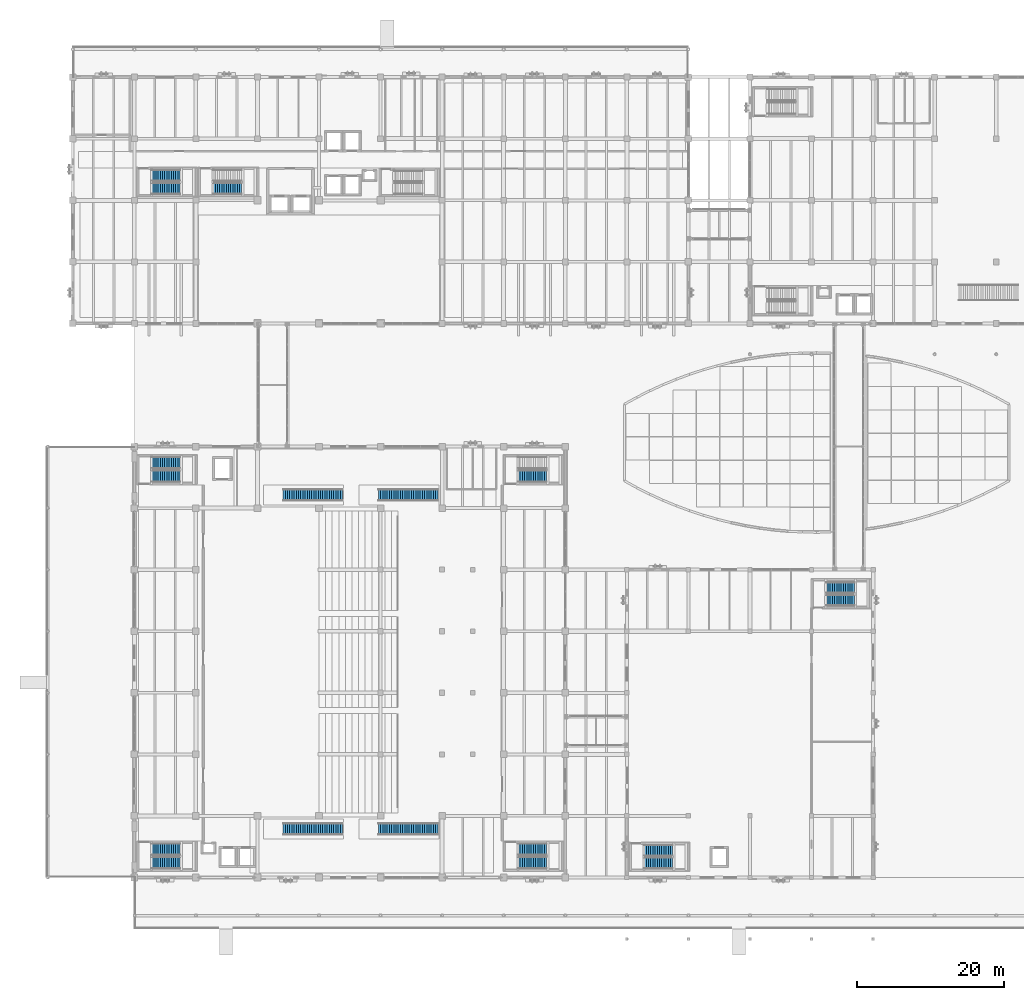
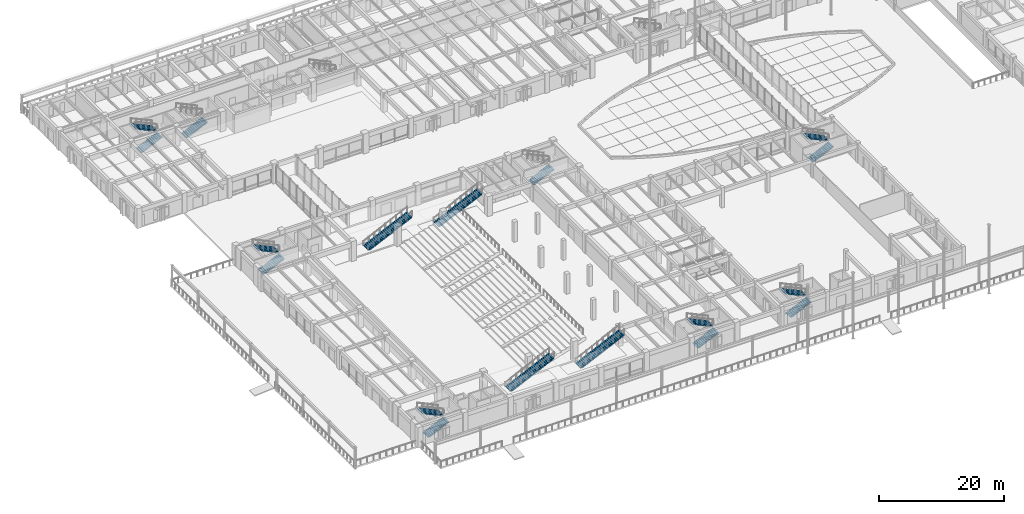
# One storey, part 100 of 135: 18 stair flights, 12 elements without a shape of their own.
"""IFC4 building model written with IfcOpenShell, lengths in metres."""

from ifc_helpers import new_model, si_unit, direction, frame, origin, place, context, subcontext, project, spatial, polyline, outline, extrude, material, type_object, element, aggregate, save


model = new_model("IFC4")

# Units and contexts
model_context = context("Model", 3, precision=1e-05, world=origin(), true_north=direction((0.0, 1.0)))
body_context = subcontext(model_context, "Body", "Model", "MODEL_VIEW")
ifc_project = project(units=[si_unit("LENGTHUNIT", "METRE"), si_unit("AREAUNIT", "SQUARE_METRE"), si_unit("VOLUMEUNIT", "CUBIC_METRE"), si_unit("PLANEANGLEUNIT", "RADIAN"), si_unit("MASSUNIT", "GRAM", prefix="KILO")], contexts=[model_context])

# Site, building, storey
site_placement = place(None, origin())
site = spatial("IfcSite", under=ifc_project, at=site_placement, CompositionType="ELEMENT")
building_placement = place(site_placement, origin())
building = spatial("IfcBuilding", under=site, at=building_placement, Name="Cumbredor Promenade Congress Hotel", CompositionType="ELEMENT")
storey_placement = place(building_placement, origin())
storey = spatial("IfcBuildingStorey", under=building, at=storey_placement, Name="L00", CompositionType="ELEMENT", Elevation=0.0)

# Stair, stair flights
ifc_material = material(Name="Concrete C40/50", Category="concrete")
stair_type_1 = type_object("IfcStairType", Name="Protected Dog-Leg Exit Stair ST-T1 1550mm", PredefinedType="HALF_TURN_STAIR", material=ifc_material)
stair_1_placement = place(storey_placement, origin())
stair_1 = element("IfcStair", 1, at=stair_1_placement, inside=storey, type_object=stair_type_1, Name="L00 Protected Exit Stair ST-11", PredefinedType="HALF_TURN_STAIR")
stair_flight_type_1 = type_object("IfcStairFlightType", Name="Concrete Stair Flight SFL-T1 1550mm", PredefinedType="STRAIGHT", material=ifc_material)
stair_flight_1_placement = place(storey_placement, frame((77.949951171875, 10.375, 0.0), z_axis=(0.0, 0.0, 1.0), x_axis=(1.0, 0.0, 0.0)))
stair_flight_1 = element("IfcStairFlight", 2, at=stair_flight_1_placement, type_object=stair_flight_type_1, Name="ST-11 flight 1", NumberOfRisers=14, NumberOfTreads=13, PredefinedType="STRAIGHT", RiserHeight=0.14, TreadLength=0.3, context=body_context, shape_type="SweptSolid", body=[
    extrude(outline(polyline([(0.0, 0.0), (0.0, 0.139892578125), (0.300048828125, 0.139892578125), (0.300048828125, 0.280029296875), (0.60009765625, 0.280029296875), (0.60009765625, 0.419921875), (0.89990234375, 0.419921875), (0.89990234375, 0.56005859375), (1.199951171875, 0.56005859375), (1.199951171875, 0.699951171875), (1.5, 0.699951171875), (1.5, 0.840087890625), (1.800048828125, 0.840087890625), (1.800048828125, 0.97998046875), (2.10009765625, 0.97998046875), (2.10009765625, 1.1201171875), (2.39990234375, 1.1201171875), (2.39990234375, 1.260009765625), (2.699951171875, 1.260009765625), (2.699951171875, 1.39990234375), (3.0, 1.39990234375), (3.0, 1.5400390625), (3.300048828125, 1.5400390625), (3.300048828125, 1.679931640625), (3.60009765625, 1.679931640625), (3.60009765625, 1.820068359375), (3.89990234375, 1.820068359375), (3.89990234375, 1.9599609375), (3.89990234375, 1.621337890625), (0.425537109375, 0.0), (0.0, 0.0)])), frame((0.0, 0.77490234375, 0.0), z_axis=(0.0, -1.0, 0.0), x_axis=(1.0, 0.0, 0.0)), (0.0, 0.0, 1.0), 1.550048828125),
])
stair_flight_2_placement = place(storey_placement, frame((81.85009765625, 12.074951171875, 1.9599609375), z_axis=(0.0, 0.0, 1.0), x_axis=(-1.0, 0.0, 0.0)))
stair_flight_2 = element("IfcStairFlight", 3, at=stair_flight_2_placement, type_object=stair_flight_type_1, Name="ST-11 flight 2", NumberOfRisers=14, NumberOfTreads=13, PredefinedType="STRAIGHT", RiserHeight=0.14, TreadLength=0.3, context=body_context, shape_type="SweptSolid", body=[
    extrude(outline(polyline([(0.0, 0.0), (0.0, 0.139892578125), (0.300048828125, 0.139892578125), (0.300048828125, 0.280029296875), (0.60009765625, 0.280029296875), (0.60009765625, 0.419921875), (0.89990234375, 0.419921875), (0.89990234375, 0.56005859375), (1.199951171875, 0.56005859375), (1.199951171875, 0.699951171875), (1.5, 0.699951171875), (1.5, 0.840087890625), (1.800048828125, 0.840087890625), (1.800048828125, 0.97998046875), (2.10009765625, 0.97998046875), (2.10009765625, 1.1201171875), (2.39990234375, 1.1201171875), (2.39990234375, 1.260009765625), (2.699951171875, 1.260009765625), (2.699951171875, 1.39990234375), (3.0, 1.39990234375), (3.0, 1.5400390625), (3.300048828125, 1.5400390625), (3.300048828125, 1.679931640625), (3.60009765625, 1.679931640625), (3.60009765625, 1.820068359375), (3.89990234375, 1.820068359375), (3.89990234375, 1.9599609375), (3.89990234375, 1.621337890625), (0.425537109375, 0.0), (0.0, 0.0)])), frame((0.0, 0.77490234375, 0.0), z_axis=(0.0, -1.0, 0.0), x_axis=(1.0, 0.0, 0.0)), (0.0, 0.0, 1.0), 1.550048828125),
])
aggregate(stair_1, [stair_flight_1, stair_flight_2])

stair_2_placement = place(storey_placement, origin())
stair_2 = element("IfcStair", 4, at=stair_2_placement, inside=storey, type_object=stair_type_1, Name="L00 Protected Exit Stair ST-12", PredefinedType="HALF_TURN_STAIR")
stair_flight_3_placement = place(storey_placement, frame((102.75, 46.22509765625, 0.0), z_axis=(0.0, 0.0, 1.0), x_axis=(1.0, 0.0, 0.0)))
stair_flight_3 = element("IfcStairFlight", 5, at=stair_flight_3_placement, type_object=stair_flight_type_1, Name="ST-12 flight 1", NumberOfRisers=14, NumberOfTreads=13, PredefinedType="STRAIGHT", RiserHeight=0.14, TreadLength=0.3, context=body_context, shape_type="SweptSolid", body=[
    extrude(outline(polyline([(0.0, 0.0), (0.0, 0.139892578125), (0.300048828125, 0.139892578125), (0.300048828125, 0.280029296875), (0.60009765625, 0.280029296875), (0.60009765625, 0.419921875), (0.89990234375, 0.419921875), (0.89990234375, 0.56005859375), (1.199951171875, 0.56005859375), (1.199951171875, 0.699951171875), (1.5, 0.699951171875), (1.5, 0.840087890625), (1.800048828125, 0.840087890625), (1.800048828125, 0.97998046875), (2.10009765625, 0.97998046875), (2.10009765625, 1.1201171875), (2.39990234375, 1.1201171875), (2.39990234375, 1.260009765625), (2.699951171875, 1.260009765625), (2.699951171875, 1.39990234375), (3.0, 1.39990234375), (3.0, 1.5400390625), (3.300048828125, 1.5400390625), (3.300048828125, 1.679931640625), (3.60009765625, 1.679931640625), (3.60009765625, 1.820068359375), (3.89990234375, 1.820068359375), (3.89990234375, 1.9599609375), (3.89990234375, 1.621337890625), (0.425537109375, 0.0), (0.0, 0.0)])), frame((0.0, 0.77490234375, 0.0), z_axis=(0.0, -1.0, 0.0), x_axis=(1.0, 0.0, 0.0)), (0.0, 0.0, 1.0), 1.550048828125),
])
stair_flight_4_placement = place(storey_placement, frame((106.64990234375, 47.925048828125, 1.9599609375), z_axis=(0.0, 0.0, 1.0), x_axis=(-1.0, 0.0, 0.0)))
stair_flight_4 = element("IfcStairFlight", 6, at=stair_flight_4_placement, type_object=stair_flight_type_1, Name="ST-12 flight 2", NumberOfRisers=14, NumberOfTreads=13, PredefinedType="STRAIGHT", RiserHeight=0.14, TreadLength=0.3, context=body_context, shape_type="SweptSolid", body=[
    extrude(outline(polyline([(0.0, 0.0), (0.0, 0.139892578125), (0.300048828125, 0.139892578125), (0.300048828125, 0.280029296875), (0.60009765625, 0.280029296875), (0.60009765625, 0.419921875), (0.89990234375, 0.419921875), (0.89990234375, 0.56005859375), (1.199951171875, 0.56005859375), (1.199951171875, 0.699951171875), (1.5, 0.699951171875), (1.5, 0.840087890625), (1.800048828125, 0.840087890625), (1.800048828125, 0.97998046875), (2.10009765625, 0.97998046875), (2.10009765625, 1.1201171875), (2.39990234375, 1.1201171875), (2.39990234375, 1.260009765625), (2.699951171875, 1.260009765625), (2.699951171875, 1.39990234375), (3.0, 1.39990234375), (3.0, 1.5400390625), (3.300048828125, 1.5400390625), (3.300048828125, 1.679931640625), (3.60009765625, 1.679931640625), (3.60009765625, 1.820068359375), (3.89990234375, 1.820068359375), (3.89990234375, 1.9599609375), (3.89990234375, 1.621337890625), (0.425537109375, 0.0), (0.0, 0.0)])), frame((0.0, 0.77490234375, 0.0), z_axis=(0.0, -1.0, 0.0), x_axis=(1.0, 0.0, 0.0)), (0.0, 0.0, 1.0), 1.550048828125),
])
aggregate(stair_2, [stair_flight_3, stair_flight_4])

stair_type_2 = type_object("IfcStairType", Name="Protected Dog-Leg Exit Stair ST-T2 1600mm", PredefinedType="HALF_TURN_STAIR", material=ifc_material)
stair_3_placement = place(storey_placement, origin())
stair_3 = element("IfcStair", 7, at=stair_3_placement, inside=storey, type_object=stair_type_2, Name="L00 Protected Exit Stair ST-01", PredefinedType="HALF_TURN_STAIR")
stair_flight_type_2 = type_object("IfcStairFlightType", Name="Concrete Stair Flight SFL-T2 1600mm", PredefinedType="STRAIGHT", material=ifc_material)
stair_flight_5_placement = place(storey_placement, frame((10.75, 102.419921875, 0.0), z_axis=(0.0, 0.0, 1.0), x_axis=(1.0, 0.0, 0.0)))
stair_flight_5 = element("IfcStairFlight", 8, at=stair_flight_5_placement, type_object=stair_flight_type_2, Name="ST-01 flight 1", NumberOfRisers=14, NumberOfTreads=13, PredefinedType="STRAIGHT", RiserHeight=0.14, TreadLength=0.3, context=body_context, shape_type="SweptSolid", body=[
    extrude(outline(polyline([(0.0, 0.0), (0.0, 0.139892578125), (0.300048828125, 0.139892578125), (0.300048828125, 0.280029296875), (0.60009765625, 0.280029296875), (0.60009765625, 0.419921875), (0.89990234375, 0.419921875), (0.89990234375, 0.56005859375), (1.199951171875, 0.56005859375), (1.199951171875, 0.699951171875), (1.5, 0.699951171875), (1.5, 0.840087890625), (1.800048828125, 0.840087890625), (1.800048828125, 0.97998046875), (2.10009765625, 0.97998046875), (2.10009765625, 1.1201171875), (2.39990234375, 1.1201171875), (2.39990234375, 1.260009765625), (2.699951171875, 1.260009765625), (2.699951171875, 1.39990234375), (3.0, 1.39990234375), (3.0, 1.5400390625), (3.300048828125, 1.5400390625), (3.300048828125, 1.679931640625), (3.60009765625, 1.679931640625), (3.60009765625, 1.820068359375), (3.89990234375, 1.820068359375), (3.89990234375, 1.9599609375), (3.89990234375, 1.621337890625), (0.425537109375, 0.0), (0.0, 0.0)])), frame((0.0, 0.800048828125, 0.0), z_axis=(0.0, -1.0, 0.0), x_axis=(1.0, 0.0, 0.0)), (0.0, 0.0, 1.0), 1.60009765625),
])
stair_flight_6_placement = place(storey_placement, frame((14.64990234375, 104.169921875, 1.9599609375), z_axis=(0.0, 0.0, 1.0), x_axis=(-1.0, 0.0, 0.0)))
stair_flight_6 = element("IfcStairFlight", 9, at=stair_flight_6_placement, type_object=stair_flight_type_2, Name="ST-01 flight 2", NumberOfRisers=14, NumberOfTreads=13, PredefinedType="STRAIGHT", RiserHeight=0.14, TreadLength=0.3, context=body_context, shape_type="SweptSolid", body=[
    extrude(outline(polyline([(0.0, 0.0), (0.0, 0.139892578125), (0.300048828125, 0.139892578125), (0.300048828125, 0.280029296875), (0.60009765625, 0.280029296875), (0.60009765625, 0.419921875), (0.89990234375, 0.419921875), (0.89990234375, 0.56005859375), (1.199951171875, 0.56005859375), (1.199951171875, 0.699951171875), (1.5, 0.699951171875), (1.5, 0.840087890625), (1.800048828125, 0.840087890625), (1.800048828125, 0.97998046875), (2.10009765625, 0.97998046875), (2.10009765625, 1.1201171875), (2.39990234375, 1.1201171875), (2.39990234375, 1.260009765625), (2.699951171875, 1.260009765625), (2.699951171875, 1.39990234375), (3.0, 1.39990234375), (3.0, 1.5400390625), (3.300048828125, 1.5400390625), (3.300048828125, 1.679931640625), (3.60009765625, 1.679931640625), (3.60009765625, 1.820068359375), (3.89990234375, 1.820068359375), (3.89990234375, 1.9599609375), (3.89990234375, 1.621337890625), (0.425537109375, 0.0), (0.0, 0.0)])), frame((0.0, 0.800048828125, 0.0), z_axis=(0.0, -1.0, 0.0), x_axis=(1.0, 0.0, 0.0)), (0.0, 0.0, 1.0), 1.60009765625),
])
aggregate(stair_3, [stair_flight_5, stair_flight_6])

# Stair, stair flight
stair_4_placement = place(storey_placement, origin())
stair_4 = element("IfcStair", 10, at=stair_4_placement, inside=storey, type_object=stair_type_2, Name="L00 Protected Exit Stair ST-02", PredefinedType="HALF_TURN_STAIR")
stair_flight_7_placement = place(storey_placement, frame((19.14990234375, 102.419921875, 0.0), z_axis=(0.0, 0.0, 1.0), x_axis=(1.0, 0.0, 0.0)))
stair_flight_7 = element("IfcStairFlight", 11, at=stair_flight_7_placement, type_object=stair_flight_type_2, Name="ST-02 flight 1", NumberOfRisers=14, NumberOfTreads=13, PredefinedType="STRAIGHT", RiserHeight=0.14, TreadLength=0.3, context=body_context, shape_type="SweptSolid", body=[
    extrude(outline(polyline([(0.0, 0.0), (0.0, 0.139892578125), (0.300048828125, 0.139892578125), (0.300048828125, 0.280029296875), (0.60009765625, 0.280029296875), (0.60009765625, 0.419921875), (0.89990234375, 0.419921875), (0.89990234375, 0.56005859375), (1.199951171875, 0.56005859375), (1.199951171875, 0.699951171875), (1.5, 0.699951171875), (1.5, 0.840087890625), (1.800048828125, 0.840087890625), (1.800048828125, 0.97998046875), (2.10009765625, 0.97998046875), (2.10009765625, 1.1201171875), (2.39990234375, 1.1201171875), (2.39990234375, 1.260009765625), (2.699951171875, 1.260009765625), (2.699951171875, 1.39990234375), (3.0, 1.39990234375), (3.0, 1.5400390625), (3.300048828125, 1.5400390625), (3.300048828125, 1.679931640625), (3.60009765625, 1.679931640625), (3.60009765625, 1.820068359375), (3.89990234375, 1.820068359375), (3.89990234375, 1.9599609375), (3.89990234375, 1.621337890625), (0.425537109375, 0.0), (0.0, 0.0)])), frame((0.0, 0.800048828125, 0.0), z_axis=(0.0, -1.0, 0.0), x_axis=(1.0, 0.0, 0.0)), (0.0, 0.0, 1.0), 1.60009765625),
])
aggregate(stair_4, [stair_flight_7])

# Stair, stair flights
stair_type_3 = type_object("IfcStairType", Name="Protected Dog-Leg Exit Stair ST-T3 1650mm", PredefinedType="HALF_TURN_STAIR", material=ifc_material)
stair_5_placement = place(storey_placement, origin())
stair_5 = element("IfcStair", 12, at=stair_5_placement, inside=storey, type_object=stair_type_3, Name="L00 Protected Exit Stair ST-04", PredefinedType="HALF_TURN_STAIR")
stair_flight_type_3 = type_object("IfcStairFlightType", Name="Concrete Stair Flight SFL-T3 1650mm", PredefinedType="STRAIGHT", material=ifc_material)
stair_flight_8_placement = place(storey_placement, frame((10.75, 10.425048828125, 0.0), z_axis=(0.0, 0.0, 1.0), x_axis=(1.0, 0.0, 0.0)))
stair_flight_8 = element("IfcStairFlight", 13, at=stair_flight_8_placement, type_object=stair_flight_type_3, Name="ST-04 flight 1", NumberOfRisers=14, NumberOfTreads=13, PredefinedType="STRAIGHT", RiserHeight=0.14, TreadLength=0.3, context=body_context, shape_type="SweptSolid", body=[
    extrude(outline(polyline([(0.0, 0.0), (0.0, 0.139892578125), (0.300048828125, 0.139892578125), (0.300048828125, 0.280029296875), (0.60009765625, 0.280029296875), (0.60009765625, 0.419921875), (0.89990234375, 0.419921875), (0.89990234375, 0.56005859375), (1.199951171875, 0.56005859375), (1.199951171875, 0.699951171875), (1.5, 0.699951171875), (1.5, 0.840087890625), (1.800048828125, 0.840087890625), (1.800048828125, 0.97998046875), (2.10009765625, 0.97998046875), (2.10009765625, 1.1201171875), (2.39990234375, 1.1201171875), (2.39990234375, 1.260009765625), (2.699951171875, 1.260009765625), (2.699951171875, 1.39990234375), (3.0, 1.39990234375), (3.0, 1.5400390625), (3.300048828125, 1.5400390625), (3.300048828125, 1.679931640625), (3.60009765625, 1.679931640625), (3.60009765625, 1.820068359375), (3.89990234375, 1.820068359375), (3.89990234375, 1.9599609375), (3.89990234375, 1.621337890625), (0.425537109375, 0.0), (0.0, 0.0)])), frame((0.0, 0.824951171875, 0.0), z_axis=(0.0, -1.0, 0.0), x_axis=(1.0, 0.0, 0.0)), (0.0, 0.0, 1.0), 1.64990234375),
])
stair_flight_9_placement = place(storey_placement, frame((14.64990234375, 12.22509765625, 1.9599609375), z_axis=(0.0, 0.0, 1.0), x_axis=(-1.0, 0.0, 0.0)))
stair_flight_9 = element("IfcStairFlight", 14, at=stair_flight_9_placement, type_object=stair_flight_type_3, Name="ST-04 flight 2", NumberOfRisers=14, NumberOfTreads=13, PredefinedType="STRAIGHT", RiserHeight=0.14, TreadLength=0.3, context=body_context, shape_type="SweptSolid", body=[
    extrude(outline(polyline([(0.0, 0.0), (0.0, 0.139892578125), (0.300048828125, 0.139892578125), (0.300048828125, 0.280029296875), (0.60009765625, 0.280029296875), (0.60009765625, 0.419921875), (0.89990234375, 0.419921875), (0.89990234375, 0.56005859375), (1.199951171875, 0.56005859375), (1.199951171875, 0.699951171875), (1.5, 0.699951171875), (1.5, 0.840087890625), (1.800048828125, 0.840087890625), (1.800048828125, 0.97998046875), (2.10009765625, 0.97998046875), (2.10009765625, 1.1201171875), (2.39990234375, 1.1201171875), (2.39990234375, 1.260009765625), (2.699951171875, 1.260009765625), (2.699951171875, 1.39990234375), (3.0, 1.39990234375), (3.0, 1.5400390625), (3.300048828125, 1.5400390625), (3.300048828125, 1.679931640625), (3.60009765625, 1.679931640625), (3.60009765625, 1.820068359375), (3.89990234375, 1.820068359375), (3.89990234375, 1.9599609375), (3.89990234375, 1.621337890625), (0.425537109375, 0.0), (0.0, 0.0)])), frame((0.0, 0.824951171875, 0.0), z_axis=(0.0, -1.0, 0.0), x_axis=(1.0, 0.0, 0.0)), (0.0, 0.0, 1.0), 1.64990234375),
])
aggregate(stair_5, [stair_flight_8, stair_flight_9])

stair_6_placement = place(storey_placement, origin())
stair_6 = element("IfcStair", 15, at=stair_6_placement, inside=storey, type_object=stair_type_3, Name="L00 Protected Exit Stair ST-05", PredefinedType="HALF_TURN_STAIR")
stair_flight_10_placement = place(storey_placement, frame((60.75, 10.425048828125, 0.0), z_axis=(0.0, 0.0, 1.0), x_axis=(1.0, 0.0, 0.0)))
stair_flight_10 = element("IfcStairFlight", 16, at=stair_flight_10_placement, type_object=stair_flight_type_3, Name="ST-05 flight 1", NumberOfRisers=14, NumberOfTreads=13, PredefinedType="STRAIGHT", RiserHeight=0.14, TreadLength=0.3, context=body_context, shape_type="SweptSolid", body=[
    extrude(outline(polyline([(0.0, 0.0), (0.0, 0.139892578125), (0.300048828125, 0.139892578125), (0.300048828125, 0.280029296875), (0.60009765625, 0.280029296875), (0.60009765625, 0.419921875), (0.89990234375, 0.419921875), (0.89990234375, 0.56005859375), (1.199951171875, 0.56005859375), (1.199951171875, 0.699951171875), (1.5, 0.699951171875), (1.5, 0.840087890625), (1.800048828125, 0.840087890625), (1.800048828125, 0.97998046875), (2.10009765625, 0.97998046875), (2.10009765625, 1.1201171875), (2.39990234375, 1.1201171875), (2.39990234375, 1.260009765625), (2.699951171875, 1.260009765625), (2.699951171875, 1.39990234375), (3.0, 1.39990234375), (3.0, 1.5400390625), (3.300048828125, 1.5400390625), (3.300048828125, 1.679931640625), (3.60009765625, 1.679931640625), (3.60009765625, 1.820068359375), (3.89990234375, 1.820068359375), (3.89990234375, 1.9599609375), (3.89990234375, 1.621337890625), (0.425537109375, 0.0), (0.0, 0.0)])), frame((0.0, 0.824951171875, 0.0), z_axis=(0.0, -1.0, 0.0), x_axis=(1.0, 0.0, 0.0)), (0.0, 0.0, 1.0), 1.64990234375),
])
stair_flight_11_placement = place(storey_placement, frame((64.64990234375, 12.22509765625, 1.9599609375), z_axis=(0.0, 0.0, 1.0), x_axis=(-1.0, 0.0, 0.0)))
stair_flight_11 = element("IfcStairFlight", 17, at=stair_flight_11_placement, type_object=stair_flight_type_3, Name="ST-05 flight 2", NumberOfRisers=14, NumberOfTreads=13, PredefinedType="STRAIGHT", RiserHeight=0.14, TreadLength=0.3, context=body_context, shape_type="SweptSolid", body=[
    extrude(outline(polyline([(0.0, 0.0), (0.0, 0.139892578125), (0.300048828125, 0.139892578125), (0.300048828125, 0.280029296875), (0.60009765625, 0.280029296875), (0.60009765625, 0.419921875), (0.89990234375, 0.419921875), (0.89990234375, 0.56005859375), (1.199951171875, 0.56005859375), (1.199951171875, 0.699951171875), (1.5, 0.699951171875), (1.5, 0.840087890625), (1.800048828125, 0.840087890625), (1.800048828125, 0.97998046875), (2.10009765625, 0.97998046875), (2.10009765625, 1.1201171875), (2.39990234375, 1.1201171875), (2.39990234375, 1.260009765625), (2.699951171875, 1.260009765625), (2.699951171875, 1.39990234375), (3.0, 1.39990234375), (3.0, 1.5400390625), (3.300048828125, 1.5400390625), (3.300048828125, 1.679931640625), (3.60009765625, 1.679931640625), (3.60009765625, 1.820068359375), (3.89990234375, 1.820068359375), (3.89990234375, 1.9599609375), (3.89990234375, 1.621337890625), (0.425537109375, 0.0), (0.0, 0.0)])), frame((0.0, 0.824951171875, 0.0), z_axis=(0.0, -1.0, 0.0), x_axis=(1.0, 0.0, 0.0)), (0.0, 0.0, 1.0), 1.64990234375),
])
aggregate(stair_6, [stair_flight_10, stair_flight_11])

stair_7_placement = place(storey_placement, origin())
stair_7 = element("IfcStair", 18, at=stair_7_placement, inside=storey, type_object=stair_type_3, Name="L00 Protected Exit Stair ST-06", PredefinedType="HALF_TURN_STAIR")
stair_flight_12_placement = place(storey_placement, frame((10.75, 63.175048828125, 0.0), z_axis=(0.0, 0.0, 1.0), x_axis=(1.0, 0.0, 0.0)))
stair_flight_12 = element("IfcStairFlight", 19, at=stair_flight_12_placement, type_object=stair_flight_type_3, Name="ST-06 flight 1", NumberOfRisers=14, NumberOfTreads=13, PredefinedType="STRAIGHT", RiserHeight=0.14, TreadLength=0.3, context=body_context, shape_type="SweptSolid", body=[
    extrude(outline(polyline([(0.0, 0.0), (0.0, 0.139892578125), (0.300048828125, 0.139892578125), (0.300048828125, 0.280029296875), (0.60009765625, 0.280029296875), (0.60009765625, 0.419921875), (0.89990234375, 0.419921875), (0.89990234375, 0.56005859375), (1.199951171875, 0.56005859375), (1.199951171875, 0.699951171875), (1.5, 0.699951171875), (1.5, 0.840087890625), (1.800048828125, 0.840087890625), (1.800048828125, 0.97998046875), (2.10009765625, 0.97998046875), (2.10009765625, 1.1201171875), (2.39990234375, 1.1201171875), (2.39990234375, 1.260009765625), (2.699951171875, 1.260009765625), (2.699951171875, 1.39990234375), (3.0, 1.39990234375), (3.0, 1.5400390625), (3.300048828125, 1.5400390625), (3.300048828125, 1.679931640625), (3.60009765625, 1.679931640625), (3.60009765625, 1.820068359375), (3.89990234375, 1.820068359375), (3.89990234375, 1.9599609375), (3.89990234375, 1.621337890625), (0.425537109375, 0.0), (0.0, 0.0)])), frame((0.0, 0.824951171875, 0.0), z_axis=(0.0, -1.0, 0.0), x_axis=(1.0, 0.0, 0.0)), (0.0, 0.0, 1.0), 1.64990234375),
])
stair_flight_13_placement = place(storey_placement, frame((14.64990234375, 64.97509765625, 1.9599609375), z_axis=(0.0, 0.0, 1.0), x_axis=(-1.0, 0.0, 0.0)))
stair_flight_13 = element("IfcStairFlight", 20, at=stair_flight_13_placement, type_object=stair_flight_type_3, Name="ST-06 flight 2", NumberOfRisers=14, NumberOfTreads=13, PredefinedType="STRAIGHT", RiserHeight=0.14, TreadLength=0.3, context=body_context, shape_type="SweptSolid", body=[
    extrude(outline(polyline([(0.0, 0.0), (0.0, 0.139892578125), (0.300048828125, 0.139892578125), (0.300048828125, 0.280029296875), (0.60009765625, 0.280029296875), (0.60009765625, 0.419921875), (0.89990234375, 0.419921875), (0.89990234375, 0.56005859375), (1.199951171875, 0.56005859375), (1.199951171875, 0.699951171875), (1.5, 0.699951171875), (1.5, 0.840087890625), (1.800048828125, 0.840087890625), (1.800048828125, 0.97998046875), (2.10009765625, 0.97998046875), (2.10009765625, 1.1201171875), (2.39990234375, 1.1201171875), (2.39990234375, 1.260009765625), (2.699951171875, 1.260009765625), (2.699951171875, 1.39990234375), (3.0, 1.39990234375), (3.0, 1.5400390625), (3.300048828125, 1.5400390625), (3.300048828125, 1.679931640625), (3.60009765625, 1.679931640625), (3.60009765625, 1.820068359375), (3.89990234375, 1.820068359375), (3.89990234375, 1.9599609375), (3.89990234375, 1.621337890625), (0.425537109375, 0.0), (0.0, 0.0)])), frame((0.0, 0.824951171875, 0.0), z_axis=(0.0, -1.0, 0.0), x_axis=(1.0, 0.0, 0.0)), (0.0, 0.0, 1.0), 1.64990234375),
])
aggregate(stair_7, [stair_flight_12, stair_flight_13])

# Stair, stair flight
stair_8_placement = place(storey_placement, origin())
stair_8 = element("IfcStair", 21, at=stair_8_placement, inside=storey, type_object=stair_type_3, Name="L00 Protected Exit Stair ST-07", PredefinedType="HALF_TURN_STAIR")
stair_flight_14_placement = place(storey_placement, frame((60.75, 63.175048828125, 0.0), z_axis=(0.0, 0.0, 1.0), x_axis=(1.0, 0.0, 0.0)))
stair_flight_14 = element("IfcStairFlight", 22, at=stair_flight_14_placement, type_object=stair_flight_type_3, Name="ST-07 flight 1", NumberOfRisers=14, NumberOfTreads=13, PredefinedType="STRAIGHT", RiserHeight=0.14, TreadLength=0.3, context=body_context, shape_type="SweptSolid", body=[
    extrude(outline(polyline([(0.0, 0.0), (0.0, 0.139892578125), (0.300048828125, 0.139892578125), (0.300048828125, 0.280029296875), (0.60009765625, 0.280029296875), (0.60009765625, 0.419921875), (0.89990234375, 0.419921875), (0.89990234375, 0.56005859375), (1.199951171875, 0.56005859375), (1.199951171875, 0.699951171875), (1.5, 0.699951171875), (1.5, 0.840087890625), (1.800048828125, 0.840087890625), (1.800048828125, 0.97998046875), (2.10009765625, 0.97998046875), (2.10009765625, 1.1201171875), (2.39990234375, 1.1201171875), (2.39990234375, 1.260009765625), (2.699951171875, 1.260009765625), (2.699951171875, 1.39990234375), (3.0, 1.39990234375), (3.0, 1.5400390625), (3.300048828125, 1.5400390625), (3.300048828125, 1.679931640625), (3.60009765625, 1.679931640625), (3.60009765625, 1.820068359375), (3.89990234375, 1.820068359375), (3.89990234375, 1.9599609375), (3.89990234375, 1.621337890625), (0.425537109375, 0.0), (0.0, 0.0)])), frame((0.0, 0.824951171875, 0.0), z_axis=(0.0, -1.0, 0.0), x_axis=(1.0, 0.0, 0.0)), (0.0, 0.0, 1.0), 1.64990234375),
])
aggregate(stair_8, [stair_flight_14])

stair_type_4 = type_object("IfcStairType", Name="Plenary Vomitory Straight Stair VM-T1 1600mm", PredefinedType="STRAIGHT_RUN_STAIR", material=ifc_material)
stair_9_placement = place(storey_placement, origin())
stair_9 = element("IfcStair", 23, at=stair_9_placement, inside=storey, type_object=stair_type_4, Name="Plenary South-West Vomitory Stair", PredefinedType="STRAIGHT_RUN_STAIR")
stair_flight_type_4 = type_object("IfcStairFlightType", Name="Vomitory Stair Flight VFL-T1 1600mm", PredefinedType="STRAIGHT", material=ifc_material)
stair_flight_15_placement = place(storey_placement, frame((28.7041015625, 15.0, -0.0029296875), z_axis=(0.0, 0.0, 1.0), x_axis=(1.0, 0.0, 0.0)))
stair_flight_15 = element("IfcStairFlight", 24, at=stair_flight_15_placement, type_object=stair_flight_type_4, Name="Plenary South-West Vomitory Stair Flight", NumberOfRisers=28, NumberOfTreads=27, PredefinedType="STRAIGHT", RiserHeight=0.14, TreadLength=0.3, context=body_context, shape_type="SweptSolid", body=[
    extrude(outline(polyline([(0.0, 0.0), (0.0, 0.139892578125), (0.300048828125, 0.139892578125), (0.300048828125, 0.280029296875), (0.60009765625, 0.280029296875), (0.60009765625, 0.419921875), (0.89990234375, 0.419921875), (0.89990234375, 0.56005859375), (1.199951171875, 0.56005859375), (1.199951171875, 0.699951171875), (1.5, 0.699951171875), (1.5, 0.840087890625), (1.800048828125, 0.840087890625), (1.800048828125, 0.97998046875), (2.10009765625, 0.97998046875), (2.10009765625, 1.1201171875), (2.39990234375, 1.1201171875), (2.39990234375, 1.260009765625), (2.699951171875, 1.260009765625), (2.699951171875, 1.39990234375), (3.0, 1.39990234375), (3.0, 1.5400390625), (3.300048828125, 1.5400390625), (3.300048828125, 1.679931640625), (3.60009765625, 1.679931640625), (3.60009765625, 1.820068359375), (3.89990234375, 1.820068359375), (3.89990234375, 1.9599609375), (4.199951171875, 1.9599609375), (4.199951171875, 2.10009765625), (4.5, 2.10009765625), (4.5, 2.239990234375), (4.800048828125, 2.239990234375), (4.800048828125, 2.3798828125), (5.10009765625, 2.3798828125), (5.10009765625, 2.52001953125), (5.39990234375, 2.52001953125), (5.39990234375, 2.659912109375), (5.699951171875, 2.659912109375), (5.699951171875, 2.800048828125), (6.0, 2.800048828125), (6.0, 2.93994140625), (6.300048828125, 2.93994140625), (6.300048828125, 3.080078125), (6.60009765625, 3.080078125), (6.60009765625, 3.219970703125), (6.89990234375, 3.219970703125), (6.89990234375, 3.360107421875), (7.199951171875, 3.360107421875), (7.199951171875, 3.5), (7.5, 3.5), (7.5, 3.639892578125), (7.800048828125, 3.639892578125), (7.800048828125, 3.780029296875), (8.10009765625, 3.780029296875), (8.10009765625, 3.919921875), (8.10009765625, 3.559326171875), (0.472900390625, 0.0), (0.0, 0.0)])), frame((0.0, 0.800048828125, 0.0), z_axis=(0.0, -1.0, 0.0), x_axis=(1.0, 0.0, 0.0)), (0.0, 0.0, 1.0), 1.60009765625),
])
aggregate(stair_9, [stair_flight_15])

stair_10_placement = place(storey_placement, origin())
stair_10 = element("IfcStair", 25, at=stair_10_placement, inside=storey, type_object=stair_type_4, Name="Plenary North-West Vomitory Stair", PredefinedType="STRAIGHT_RUN_STAIR")
stair_flight_16_placement = place(storey_placement, frame((28.7041015625, 60.60009765625, -0.0029296875), z_axis=(0.0, 0.0, 1.0), x_axis=(1.0, 0.0, 0.0)))
stair_flight_16 = element("IfcStairFlight", 26, at=stair_flight_16_placement, type_object=stair_flight_type_4, Name="Plenary North-West Vomitory Stair Flight", NumberOfRisers=28, NumberOfTreads=27, PredefinedType="STRAIGHT", RiserHeight=0.14, TreadLength=0.3, context=body_context, shape_type="SweptSolid", body=[
    extrude(outline(polyline([(0.0, 0.0), (0.0, 0.139892578125), (0.300048828125, 0.139892578125), (0.300048828125, 0.280029296875), (0.60009765625, 0.280029296875), (0.60009765625, 0.419921875), (0.89990234375, 0.419921875), (0.89990234375, 0.56005859375), (1.199951171875, 0.56005859375), (1.199951171875, 0.699951171875), (1.5, 0.699951171875), (1.5, 0.840087890625), (1.800048828125, 0.840087890625), (1.800048828125, 0.97998046875), (2.10009765625, 0.97998046875), (2.10009765625, 1.1201171875), (2.39990234375, 1.1201171875), (2.39990234375, 1.260009765625), (2.699951171875, 1.260009765625), (2.699951171875, 1.39990234375), (3.0, 1.39990234375), (3.0, 1.5400390625), (3.300048828125, 1.5400390625), (3.300048828125, 1.679931640625), (3.60009765625, 1.679931640625), (3.60009765625, 1.820068359375), (3.89990234375, 1.820068359375), (3.89990234375, 1.9599609375), (4.199951171875, 1.9599609375), (4.199951171875, 2.10009765625), (4.5, 2.10009765625), (4.5, 2.239990234375), (4.800048828125, 2.239990234375), (4.800048828125, 2.3798828125), (5.10009765625, 2.3798828125), (5.10009765625, 2.52001953125), (5.39990234375, 2.52001953125), (5.39990234375, 2.659912109375), (5.699951171875, 2.659912109375), (5.699951171875, 2.800048828125), (6.0, 2.800048828125), (6.0, 2.93994140625), (6.300048828125, 2.93994140625), (6.300048828125, 3.080078125), (6.60009765625, 3.080078125), (6.60009765625, 3.219970703125), (6.89990234375, 3.219970703125), (6.89990234375, 3.360107421875), (7.199951171875, 3.360107421875), (7.199951171875, 3.5), (7.5, 3.5), (7.5, 3.639892578125), (7.800048828125, 3.639892578125), (7.800048828125, 3.780029296875), (8.10009765625, 3.780029296875), (8.10009765625, 3.919921875), (8.10009765625, 3.559326171875), (0.472900390625, 0.0), (0.0, 0.0)])), frame((0.0, 0.800048828125, 0.0), z_axis=(0.0, -1.0, 0.0), x_axis=(1.0, 0.0, 0.0)), (0.0, 0.0, 1.0), 1.60009765625),
])
aggregate(stair_10, [stair_flight_16])

stair_11_placement = place(storey_placement, origin())
stair_11 = element("IfcStair", 27, at=stair_11_placement, inside=storey, type_object=stair_type_4, Name="Plenary South-East Vomitory Stair", PredefinedType="STRAIGHT_RUN_STAIR")
stair_flight_17_placement = place(storey_placement, frame((41.7041015625, 15.0, -0.0029296875), z_axis=(0.0, 0.0, 1.0), x_axis=(1.0, 0.0, 0.0)))
stair_flight_17 = element("IfcStairFlight", 28, at=stair_flight_17_placement, type_object=stair_flight_type_4, Name="Plenary South-East Vomitory Stair Flight", NumberOfRisers=28, NumberOfTreads=27, PredefinedType="STRAIGHT", RiserHeight=0.14, TreadLength=0.3, context=body_context, shape_type="SweptSolid", body=[
    extrude(outline(polyline([(0.0, 0.0), (0.0, 0.139892578125), (0.300048828125, 0.139892578125), (0.300048828125, 0.280029296875), (0.60009765625, 0.280029296875), (0.60009765625, 0.419921875), (0.89990234375, 0.419921875), (0.89990234375, 0.56005859375), (1.199951171875, 0.56005859375), (1.199951171875, 0.699951171875), (1.5, 0.699951171875), (1.5, 0.840087890625), (1.800048828125, 0.840087890625), (1.800048828125, 0.97998046875), (2.10009765625, 0.97998046875), (2.10009765625, 1.1201171875), (2.39990234375, 1.1201171875), (2.39990234375, 1.260009765625), (2.699951171875, 1.260009765625), (2.699951171875, 1.39990234375), (3.0, 1.39990234375), (3.0, 1.5400390625), (3.300048828125, 1.5400390625), (3.300048828125, 1.679931640625), (3.60009765625, 1.679931640625), (3.60009765625, 1.820068359375), (3.89990234375, 1.820068359375), (3.89990234375, 1.9599609375), (4.199951171875, 1.9599609375), (4.199951171875, 2.10009765625), (4.5, 2.10009765625), (4.5, 2.239990234375), (4.800048828125, 2.239990234375), (4.800048828125, 2.3798828125), (5.10009765625, 2.3798828125), (5.10009765625, 2.52001953125), (5.39990234375, 2.52001953125), (5.39990234375, 2.659912109375), (5.699951171875, 2.659912109375), (5.699951171875, 2.800048828125), (6.0, 2.800048828125), (6.0, 2.93994140625), (6.300048828125, 2.93994140625), (6.300048828125, 3.080078125), (6.60009765625, 3.080078125), (6.60009765625, 3.219970703125), (6.89990234375, 3.219970703125), (6.89990234375, 3.360107421875), (7.199951171875, 3.360107421875), (7.199951171875, 3.5), (7.5, 3.5), (7.5, 3.639892578125), (7.800048828125, 3.639892578125), (7.800048828125, 3.780029296875), (8.10009765625, 3.780029296875), (8.10009765625, 3.919921875), (8.10009765625, 3.559326171875), (0.472900390625, 0.0), (0.0, 0.0)])), frame((0.0, 0.800048828125, 0.0), z_axis=(0.0, -1.0, 0.0), x_axis=(1.0, 0.0, 0.0)), (0.0, 0.0, 1.0), 1.60009765625),
])
aggregate(stair_11, [stair_flight_17])

stair_12_placement = place(storey_placement, origin())
stair_12 = element("IfcStair", 29, at=stair_12_placement, inside=storey, type_object=stair_type_4, Name="Plenary North-East Vomitory Stair", PredefinedType="STRAIGHT_RUN_STAIR")
stair_flight_18_placement = place(storey_placement, frame((41.7041015625, 60.60009765625, -0.0029296875), z_axis=(0.0, 0.0, 1.0), x_axis=(1.0, 0.0, 0.0)))
stair_flight_18 = element("IfcStairFlight", 30, at=stair_flight_18_placement, type_object=stair_flight_type_4, Name="Plenary North-East Vomitory Stair Flight", NumberOfRisers=28, NumberOfTreads=27, PredefinedType="STRAIGHT", RiserHeight=0.14, TreadLength=0.3, context=body_context, shape_type="SweptSolid", body=[
    extrude(outline(polyline([(0.0, 0.0), (0.0, 0.139892578125), (0.300048828125, 0.139892578125), (0.300048828125, 0.280029296875), (0.60009765625, 0.280029296875), (0.60009765625, 0.419921875), (0.89990234375, 0.419921875), (0.89990234375, 0.56005859375), (1.199951171875, 0.56005859375), (1.199951171875, 0.699951171875), (1.5, 0.699951171875), (1.5, 0.840087890625), (1.800048828125, 0.840087890625), (1.800048828125, 0.97998046875), (2.10009765625, 0.97998046875), (2.10009765625, 1.1201171875), (2.39990234375, 1.1201171875), (2.39990234375, 1.260009765625), (2.699951171875, 1.260009765625), (2.699951171875, 1.39990234375), (3.0, 1.39990234375), (3.0, 1.5400390625), (3.300048828125, 1.5400390625), (3.300048828125, 1.679931640625), (3.60009765625, 1.679931640625), (3.60009765625, 1.820068359375), (3.89990234375, 1.820068359375), (3.89990234375, 1.9599609375), (4.199951171875, 1.9599609375), (4.199951171875, 2.10009765625), (4.5, 2.10009765625), (4.5, 2.239990234375), (4.800048828125, 2.239990234375), (4.800048828125, 2.3798828125), (5.10009765625, 2.3798828125), (5.10009765625, 2.52001953125), (5.39990234375, 2.52001953125), (5.39990234375, 2.659912109375), (5.699951171875, 2.659912109375), (5.699951171875, 2.800048828125), (6.0, 2.800048828125), (6.0, 2.93994140625), (6.300048828125, 2.93994140625), (6.300048828125, 3.080078125), (6.60009765625, 3.080078125), (6.60009765625, 3.219970703125), (6.89990234375, 3.219970703125), (6.89990234375, 3.360107421875), (7.199951171875, 3.360107421875), (7.199951171875, 3.5), (7.5, 3.5), (7.5, 3.639892578125), (7.800048828125, 3.639892578125), (7.800048828125, 3.780029296875), (8.10009765625, 3.780029296875), (8.10009765625, 3.919921875), (8.10009765625, 3.559326171875), (0.472900390625, 0.0), (0.0, 0.0)])), frame((0.0, 0.800048828125, 0.0), z_axis=(0.0, -1.0, 0.0), x_axis=(1.0, 0.0, 0.0)), (0.0, 0.0, 1.0), 1.60009765625),
])
aggregate(stair_12, [stair_flight_18])

save(model, "model.ifc")
